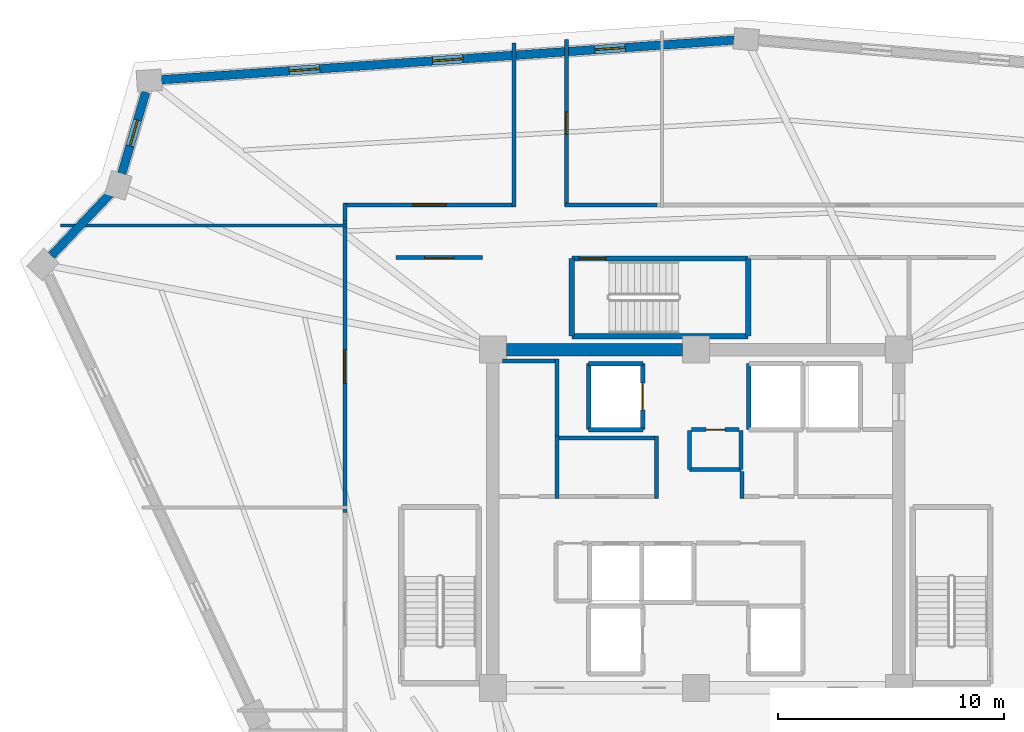
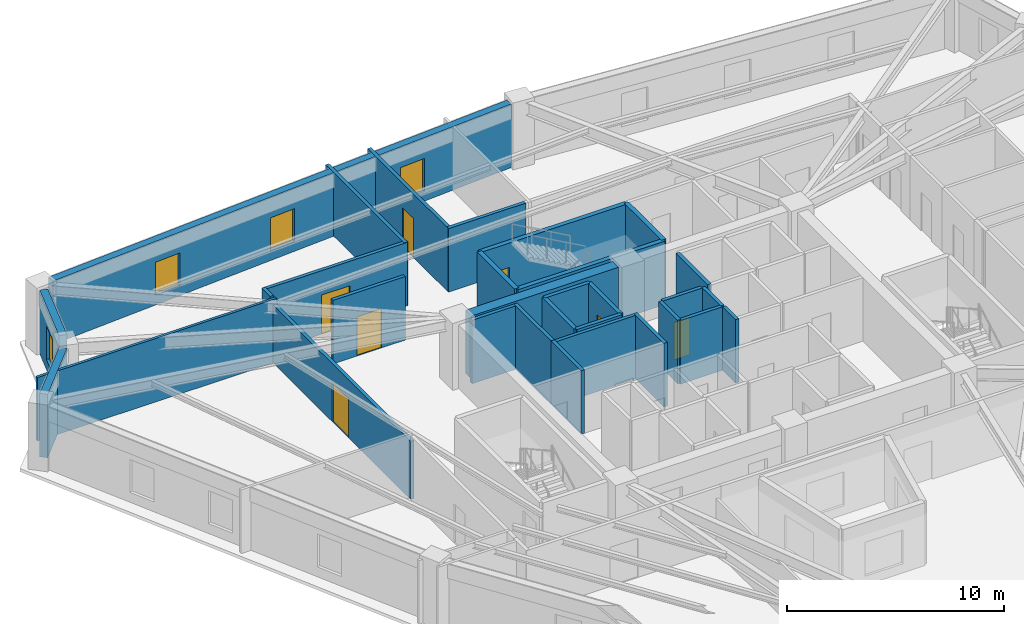
# One storey, part 5 of 10: 31 walls, 7 doors, 4 windows, 11 openings.
"""IFC4 building model written with IfcOpenShell, lengths in metres."""

from ifc_helpers import new_model, si_unit, direction, frame, frame_2d, origin, place, context, subcontext, project, spatial, rectangle, extrude, source, transform, mapped, material, layer, layer_set, type_object, element, fill, save


model = new_model("IFC4")

# Units and contexts
model_context = context("Model", 3, precision=1e-05, world=origin(), true_north=direction((0.0, 1.0)))
body_context = subcontext(model_context, "Body", "Model", "MODEL_VIEW")
ifc_project = project(units=[si_unit("LENGTHUNIT", "METRE"), si_unit("AREAUNIT", "SQUARE_METRE"), si_unit("VOLUMEUNIT", "CUBIC_METRE"), si_unit("PLANEANGLEUNIT", "RADIAN"), si_unit("MASSUNIT", "GRAM", prefix="KILO")], contexts=[model_context])

# Site, building, storey
site_placement = place(None, origin())
site = spatial("IfcSite", under=ifc_project, at=site_placement, CompositionType="ELEMENT")
building_placement = place(site_placement, origin())
building = spatial("IfcBuilding", under=site, at=building_placement, Name="Liaohun Quay Tower", CompositionType="ELEMENT")
storey_placement = place(building_placement, frame((0.0, 0.0, 339.75)))
storey = spatial("IfcBuildingStorey", under=building, at=storey_placement, Name="L88", CompositionType="ELEMENT", Elevation=339.75)

# Wall
ifc_material_1 = material(Name="Concrete C50", Category="concrete")
ifc_layer_1 = layer(ifc_material_1, 0.550048828125, Name="Concrete C50", Category="concrete")
ifc_layer_set_1 = layer_set([ifc_layer_1], Name="Concrete C50")
wall_type_1 = type_object("IfcWallType", Name="WAL-COR-Z4", PredefinedType="SHEAR", material=ifc_layer_set_1)
wall_1_placement = place(storey_placement, frame((51.60009765625, 61.5, 0.0), z_axis=(0.0, 0.0, 1.0), x_axis=(1.0, 0.0, 0.0)))
element("IfcWall", 1, at=wall_1_placement, inside=storey, type_object=wall_type_1, Name="L88 Central Core Shear Wall N-W", PredefinedType="SHEAR", context=body_context, shape_type="SweptSolid", body=[
    extrude(rectangle(XDim=7.7998046875, YDim=0.550048828125, at=frame_2d((3.89990234375, 0.0))), origin(), (0.0, 0.0, 1.0), 3.570068359375),
])

# Wall, openings, windows
ifc_material_2 = material(Name="Precast concrete C50 insulated sandwich", Category="concrete")
ifc_layer_2 = layer(ifc_material_2, 0.3798828125, Name="Precast concrete C50 insulated sandwich", Category="concrete")
ifc_layer_set_2 = layer_set([ifc_layer_2], Name="Precast concrete C50 insulated sandwich")
wall_type_2 = type_object("IfcWallType", Name="WAL-EXT-Z34", PredefinedType="SOLIDWALL", material=ifc_layer_set_2)
wall_2_placement = place(storey_placement, frame((61.695068359375, 75.22607421875, 0.0), z_axis=(0.0, 0.0, 1.0), x_axis=(-0.997609466084, -0.06910393027, 0.0)))
wall_2 = element("IfcWall", 2, at=wall_2_placement, inside=storey, type_object=wall_type_2, Name="L88 Brutalist Precast Pier Wall 07", PredefinedType="SOLIDWALL", context=body_context, shape_type="SweptSolid", body=[
    extrude(rectangle(XDim=25.454833984375, YDim=0.3798828125, at=frame_2d((12.7275390625, 0.0))), origin(), (0.0, 0.0, 1.0), 3.570068359375),
])
shared_shape_1 = source(origin(), body_context, "Body", "SweptSolid", [
    extrude(rectangle(XDim=1.35009765625, YDim=1.85009765625, at=frame_2d((0.675048828125, 0.925048828125))), frame((0.0, 0.199951171875, 0.0), z_axis=(0.0, -1.0, 0.0), x_axis=(1.0, 0.0, 0.0)), (0.0, 0.0, 1.0), 0.39990234375),
])
opening_1_placement = place(wall_2_placement, frame((4.839111328125, 0.0, 0.550048828125)))
opening_1 = element("IfcOpeningElement", 3, at=opening_1_placement, cuts=wall_2, Name="Opening W04", PredefinedType="OPENING", context=body_context, shape_type="MappedRepresentation", body=[
    mapped(shared_shape_1, transform((0.0, 0.0, 0.0), x_axis=(1.0, 0.0, 0.0), y_axis=(0.0, 1.0, 0.0), z_axis=(0.0, 0.0, 1.0), scale=1.0)),
])
opening_2_placement = place(wall_2_placement, frame((12.052001953125, 0.0, 0.550048828125)))
opening_2 = element("IfcOpeningElement", 4, at=opening_2_placement, cuts=wall_2, Name="Opening W04", PredefinedType="OPENING", context=body_context, shape_type="MappedRepresentation", body=[
    mapped(shared_shape_1, transform((0.0, 0.0, 0.0), x_axis=(1.0, 0.0, 0.0), y_axis=(0.0, 1.0, 0.0), z_axis=(0.0, 0.0, 1.0), scale=1.0)),
])
opening_3_placement = place(wall_2_placement, frame((18.416015625, 0.0, 0.550048828125)))
opening_3 = element("IfcOpeningElement", 5, at=opening_3_placement, cuts=wall_2, Name="Opening W04", PredefinedType="OPENING", context=body_context, shape_type="MappedRepresentation", body=[
    mapped(shared_shape_1, transform((0.0, 0.0, 0.0), x_axis=(1.0, 0.0, 0.0), y_axis=(0.0, 1.0, 0.0), z_axis=(0.0, 0.0, 1.0), scale=1.0)),
])
ifc_material_3 = material(Name="Triple Low-E argon glazing in thermally broken aluminium", Category="aluminium")
window_type_1 = type_object("IfcWindowType", Name="WIN-PUN-Z4", PartitioningType="SINGLE_PANEL", PredefinedType="WINDOW", material=ifc_material_3)
shared_shape_2 = source(origin(), body_context, "Body", "SweptSolid", [
    extrude(rectangle(XDim=1.35009765625, YDim=1.85009765625, at=frame_2d((0.675048828125, 0.925048828125))), frame((0.0, 0.030029296875, 0.0), z_axis=(0.0, -1.0, 0.0), x_axis=(1.0, 0.0, 0.0)), (0.0, 0.0, 1.0), 0.06005859375),
])
window_1_placement = place(opening_1_placement, origin())
window_1 = element("IfcWindow", 6, at=window_1_placement, inside=storey, type_object=window_type_1, Name="L88 Recessed Cold-Climate Punched Window 07-1", OverallHeight=1.85009765625, OverallWidth=1.35009765625, PartitioningType="SINGLE_PANEL", PredefinedType="WINDOW", context=body_context, shape_type="MappedRepresentation", body=[
    mapped(shared_shape_2, transform((0.0, 0.0, 0.0), x_axis=(1.0, 0.0, 0.0), y_axis=(0.0, 1.0, 0.0), z_axis=(0.0, 0.0, 1.0), scale=1.0)),
])
fill(opening_1, window_1)
window_2_placement = place(opening_2_placement, origin())
window_2 = element("IfcWindow", 7, at=window_2_placement, inside=storey, type_object=window_type_1, Name="L88 Recessed Cold-Climate Punched Window 07-2", OverallHeight=1.85009765625, OverallWidth=1.35009765625, PartitioningType="SINGLE_PANEL", PredefinedType="WINDOW", context=body_context, shape_type="MappedRepresentation", body=[
    mapped(shared_shape_2, transform((0.0, 0.0, 0.0), x_axis=(1.0, 0.0, 0.0), y_axis=(0.0, 1.0, 0.0), z_axis=(0.0, 0.0, 1.0), scale=1.0)),
])
fill(opening_2, window_2)
window_3_placement = place(opening_3_placement, origin())
window_3 = element("IfcWindow", 8, at=window_3_placement, inside=storey, type_object=window_type_1, Name="L88 Recessed Cold-Climate Punched Window 07-3", OverallHeight=1.85009765625, OverallWidth=1.35009765625, PartitioningType="SINGLE_PANEL", PredefinedType="WINDOW", context=body_context, shape_type="MappedRepresentation", body=[
    mapped(shared_shape_2, transform((0.0, 0.0, 0.0), x_axis=(1.0, 0.0, 0.0), y_axis=(0.0, 1.0, 0.0), z_axis=(0.0, 0.0, 1.0), scale=1.0)),
])
fill(opening_3, window_3)

# Wall, opening, window
wall_3_placement = place(storey_placement, frame((35.60888671875, 72.912109375, 0.0), z_axis=(0.0, 0.0, 1.0), x_axis=(-0.282457827071, -0.959279717249, 0.0)))
wall_3 = element("IfcWall", 9, at=wall_3_placement, inside=storey, type_object=wall_type_2, Name="L88 Brutalist Precast Pier Wall 08", PredefinedType="SOLIDWALL", context=body_context, shape_type="SweptSolid", body=[
    extrude(rectangle(XDim=3.763427734375, YDim=0.3798828125, at=frame_2d((1.8818359375, 0.0))), origin(), (0.0, 0.0, 1.0), 3.570068359375),
])
shared_shape_3 = source(origin(), body_context, "Body", "SweptSolid", [
    extrude(rectangle(XDim=1.199951171875, YDim=1.89990234375, at=frame_2d((0.60009765625, 0.949951171875))), frame((0.0, 0.199951171875, 0.0), z_axis=(0.0, -1.0, 0.0), x_axis=(1.0, 0.0, 0.0)), (0.0, 0.0, 1.0), 0.39990234375),
])
opening_4_placement = place(wall_3_placement, frame((1.281982421875, 0.0, 0.550048828125)))
opening_4 = element("IfcOpeningElement", 10, at=opening_4_placement, cuts=wall_3, Name="Opening W05", PredefinedType="OPENING", context=body_context, shape_type="MappedRepresentation", body=[
    mapped(shared_shape_3, transform((0.0, 0.0, 0.0), x_axis=(1.0, 0.0, 0.0), y_axis=(0.0, 1.0, 0.0), z_axis=(0.0, 0.0, 1.0), scale=1.0)),
])
ifc_material_4 = material(Name="Triple Low-E corner notch glazing", Category="glass")
window_type_2 = type_object("IfcWindowType", Name="WIN-NOTCH", PartitioningType="SINGLE_PANEL", PredefinedType="WINDOW", material=ifc_material_4)
shared_shape_4 = source(origin(), body_context, "Body", "SweptSolid", [
    extrude(rectangle(XDim=1.199951171875, YDim=1.89990234375, at=frame_2d((0.60009765625, 0.949951171875))), frame((0.0, 0.030029296875, 0.0), z_axis=(0.0, -1.0, 0.0), x_axis=(1.0, 0.0, 0.0)), (0.0, 0.0, 1.0), 0.06005859375),
])
window_4_placement = place(opening_4_placement, origin())
window_4 = element("IfcWindow", 11, at=window_4_placement, inside=storey, type_object=window_type_2, Name="L88 Corner Notch Window W05-08", OverallHeight=1.89990234375, OverallWidth=1.199951171875, PartitioningType="SINGLE_PANEL", PredefinedType="WINDOW", context=body_context, shape_type="MappedRepresentation", body=[
    mapped(shared_shape_4, transform((0.0, 0.0, 0.0), x_axis=(1.0, 0.0, 0.0), y_axis=(0.0, 1.0, 0.0), z_axis=(0.0, 0.0, 1.0), scale=1.0)),
])
fill(opening_4, window_4)

# Wall
wall_4_placement = place(storey_placement, frame((34.02099609375, 68.39306640625, 0.0), z_axis=(0.0, 0.0, 1.0), x_axis=(-0.689516179324, -0.724270279972, 0.0)))
element("IfcWall", 12, at=wall_4_placement, inside=storey, type_object=wall_type_2, Name="L88 Brutalist Precast Pier Wall 09", PredefinedType="SOLIDWALL", context=body_context, shape_type="SweptSolid", body=[
    extrude(rectangle(XDim=3.772216796875, YDim=0.3798828125, at=frame_2d((1.88623046875, 0.0))), origin(), (0.0, 0.0, 1.0), 3.570068359375),
])

# Wall, opening, door
ifc_material_5 = material(Name="Autoclaved aerated concrete blockwork", Category="masonry")
ifc_layer_3 = layer(ifc_material_5, 0.179931640625, Name="Autoclaved aerated concrete blockwork", Category="masonry")
ifc_layer_set_3 = layer_set([ifc_layer_3], Name="Autoclaved aerated concrete blockwork")
wall_type_3 = type_object("IfcWallType", Name="WAL-PRT-COR", PredefinedType="PARTITIONING", material=ifc_layer_set_3)
wall_5_placement = place(storey_placement, frame((59.81005859375, 57.949951171875, 0.0), z_axis=(0.0, 0.0, 1.0), x_axis=(1.0, 0.0, 0.0)))
wall_5 = element("IfcWall", 13, at=wall_5_placement, inside=storey, type_object=wall_type_3, Name="L88 Interior Partition Wall 006", PredefinedType="PARTITIONING", context=body_context, shape_type="SweptSolid", body=[
    extrude(rectangle(XDim=2.10986328125, YDim=0.179931640625, at=frame_2d((1.054931640625, 0.0))), origin(), (0.0, 0.0, 1.0), 3.570068359375),
])
shared_shape_5 = source(origin(), body_context, "Body", "SweptSolid", [
    extrude(rectangle(XDim=0.85009765625, YDim=2.10009765625, at=frame_2d((0.425048828125, 1.050048828125))), frame((0.0, 0.099853515625, 0.0), z_axis=(0.0, -1.0, 0.0), x_axis=(1.0, 0.0, 0.0)), (0.0, 0.0, 1.0), 0.199951171875),
])
opening_5_placement = place(wall_5_placement, frame((0.635009765625, 0.0, 0.0)))
opening_5 = element("IfcOpeningElement", 14, at=opening_5_placement, cuts=wall_5, Name="Opening AD1", PredefinedType="OPENING", context=body_context, shape_type="MappedRepresentation", body=[
    mapped(shared_shape_5, transform((0.0, 0.0, 0.0), x_axis=(1.0, 0.0, 0.0), y_axis=(0.0, 1.0, 0.0), z_axis=(0.0, 0.0, 1.0), scale=1.0)),
])
ifc_material_6 = material(Name="Steel riser inspection fire door", Category="steel")
door_type_1 = type_object("IfcDoorType", Name="DOR-SHF-850", OperationType="NOTDEFINED", PredefinedType="DOOR", material=ifc_material_6)
shared_shape_6 = source(origin(), body_context, "Body", "SweptSolid", [
    extrude(rectangle(XDim=0.85009765625, YDim=2.10009765625, at=frame_2d((0.425048828125, 1.050048828125))), frame((0.0, 0.02490234375, 0.0), z_axis=(0.0, -1.0, 0.0), x_axis=(1.0, 0.0, 0.0)), (0.0, 0.0, 1.0), 0.050048828125),
])
door_1_placement = place(opening_5_placement, origin())
door_1 = element("IfcDoor", 15, at=door_1_placement, inside=storey, type_object=door_type_1, Name="L88 Core Janitor and Cleaner Store Door", OperationType="SINGLE_SWING_LEFT", OverallHeight=2.10009765625, OverallWidth=0.85009765625, PredefinedType="DOOR", context=body_context, shape_type="MappedRepresentation", body=[
    mapped(shared_shape_6, transform((0.0, 0.0, 0.0), x_axis=(1.0, 0.0, 0.0), y_axis=(0.0, 1.0, 0.0), z_axis=(0.0, 0.0, 1.0), scale=1.0)),
])
fill(opening_5, door_1)

wall_6_placement = place(storey_placement, frame((46.699951171875, 65.580078125, 0.0), z_axis=(0.0, 0.0, 1.0), x_axis=(1.0, 0.0, 0.0)))
wall_6 = element("IfcWall", 16, at=wall_6_placement, inside=storey, type_object=wall_type_3, Name="L88 Interior Partition Wall 013", PredefinedType="PARTITIONING", context=body_context, shape_type="SweptSolid", body=[
    extrude(rectangle(XDim=3.840087890625, YDim=0.179931640625, at=frame_2d((1.919921875, 0.0))), origin(), (0.0, 0.0, 1.0), 3.570068359375),
])
shared_shape_7 = source(origin(), body_context, "Body", "SweptSolid", [
    extrude(rectangle(XDim=1.300048828125, YDim=2.199951171875, at=frame_2d((0.64990234375, 1.10009765625))), frame((0.0, 0.099853515625, 0.0), z_axis=(0.0, -1.0, 0.0), x_axis=(1.0, 0.0, 0.0)), (0.0, 0.0, 1.0), 0.199951171875),
])
opening_6_placement = place(wall_6_placement, frame((1.27001953125, 0.0, 0.0)))
opening_6 = element("IfcOpeningElement", 17, at=opening_6_placement, cuts=wall_6, Name="Opening FD1", PredefinedType="OPENING", context=body_context, shape_type="MappedRepresentation", body=[
    mapped(shared_shape_7, transform((0.0, 0.0, 0.0), x_axis=(1.0, 0.0, 0.0), y_axis=(0.0, 1.0, 0.0), z_axis=(0.0, 0.0, 1.0), scale=1.0)),
])
ifc_material_7 = material(Name="Galvanised steel smokeproof fire door", Category="steel")
door_type_2 = type_object("IfcDoorType", Name="DOR-FFL-1300", OperationType="NOTDEFINED", PredefinedType="DOOR", material=ifc_material_7)
shared_shape_8 = source(origin(), body_context, "Body", "SweptSolid", [
    extrude(rectangle(XDim=1.300048828125, YDim=2.199951171875, at=frame_2d((0.64990234375, 1.10009765625))), frame((0.0, 0.02490234375, 0.0), z_axis=(0.0, -1.0, 0.0), x_axis=(1.0, 0.0, 0.0)), (0.0, 0.0, 1.0), 0.050048828125),
])
door_2_placement = place(opening_6_placement, origin())
door_2 = element("IfcDoor", 18, at=door_2_placement, inside=storey, type_object=door_type_2, Name="L88 West Core Vestibule Door", OperationType="SINGLE_SWING_RIGHT", OverallHeight=2.199951171875, OverallWidth=1.300048828125, PredefinedType="DOOR", context=body_context, shape_type="MappedRepresentation", body=[
    mapped(shared_shape_8, transform((0.0, 0.0, 0.0), x_axis=(1.0, 0.0, 0.0), y_axis=(0.0, 1.0, 0.0), z_axis=(0.0, 0.0, 1.0), scale=1.0)),
])
fill(opening_6, door_2)

wall_7_placement = place(storey_placement, frame((54.260009765625, 75.251953125, 0.0), z_axis=(0.0, 0.0, 1.0), x_axis=(0.0, -1.0, 0.0)))
wall_7 = element("IfcWall", 19, at=wall_7_placement, inside=storey, type_object=wall_type_3, Name="L88 Interior Partition Wall 017", PredefinedType="PARTITIONING", context=body_context, shape_type="SweptSolid", body=[
    extrude(rectangle(XDim=7.411865234375, YDim=0.179931640625, at=frame_2d((3.7060546875, 0.0))), origin(), (0.0, 0.0, 1.0), 3.570068359375),
])
shared_shape_9 = source(origin(), body_context, "Body", "SweptSolid", [
    extrude(rectangle(XDim=1.0, YDim=2.199951171875, at=frame_2d((0.5, 1.10009765625))), frame((0.0, 0.099853515625, 0.0), z_axis=(0.0, -1.0, 0.0), x_axis=(1.0, 0.0, 0.0)), (0.0, 0.0, 1.0), 0.199951171875),
])
opening_7_placement = place(wall_7_placement, frame((3.2060546875, 0.0, 0.0)))
opening_7 = element("IfcOpeningElement", 20, at=opening_7_placement, cuts=wall_7, Name="Opening OD1", PredefinedType="OPENING", context=body_context, shape_type="MappedRepresentation", body=[
    mapped(shared_shape_9, transform((0.0, 0.0, 0.0), x_axis=(1.0, 0.0, 0.0), y_axis=(0.0, 1.0, 0.0), z_axis=(0.0, 0.0, 1.0), scale=1.0)),
])
ifc_material_8 = material(Name="Solid-core oak veneer timber leaf in steel frame", Category="steel")
door_type_3 = type_object("IfcDoorType", Name="DOR-OFF-1000", OperationType="NOTDEFINED", PredefinedType="DOOR", material=ifc_material_8)
shared_shape_10 = source(origin(), body_context, "Body", "SweptSolid", [
    extrude(rectangle(XDim=1.0, YDim=2.199951171875, at=frame_2d((0.5, 1.10009765625))), frame((0.0, 0.02490234375, 0.0), z_axis=(0.0, -1.0, 0.0), x_axis=(1.0, 0.0, 0.0)), (0.0, 0.0, 1.0), 0.050048828125),
])
door_3_placement = place(opening_7_placement, origin())
door_3 = element("IfcDoor", 21, at=door_3_placement, inside=storey, type_object=door_type_3, Name="L88 Client Collaboration Lounge 03 Door", OperationType="SINGLE_SWING_RIGHT", OverallHeight=2.199951171875, OverallWidth=1.0, PredefinedType="DOOR", context=body_context, shape_type="MappedRepresentation", body=[
    mapped(shared_shape_10, transform((0.0, 0.0, 0.0), x_axis=(1.0, 0.0, 0.0), y_axis=(0.0, 1.0, 0.0), z_axis=(0.0, 0.0, 1.0), scale=1.0)),
])
fill(opening_7, door_3)

wall_8_placement = place(storey_placement, frame((44.3701171875, 67.909912109375, 0.0), z_axis=(0.0, 0.0, 1.0), x_axis=(1.0, 0.0, 0.0)))
wall_8 = element("IfcWall", 22, at=wall_8_placement, inside=storey, type_object=wall_type_3, Name="L88 Interior Partition Wall 018", PredefinedType="PARTITIONING", context=body_context, shape_type="SweptSolid", body=[
    extrude(rectangle(XDim=7.639892578125, YDim=0.179931640625, at=frame_2d((3.81982421875, 0.0))), origin(), (0.0, 0.0, 1.0), 3.570068359375),
])
shared_shape_11 = source(origin(), body_context, "Body", "SweptSolid", [
    extrude(rectangle(XDim=1.5, YDim=2.199951171875, at=frame_2d((0.75, 1.10009765625))), frame((0.0, 0.099853515625, 0.0), z_axis=(0.0, -1.0, 0.0), x_axis=(1.0, 0.0, 0.0)), (0.0, 0.0, 1.0), 0.199951171875),
])
opening_8_placement = place(wall_8_placement, frame((3.070068359375, 0.0, 0.0)))
opening_8 = element("IfcOpeningElement", 23, at=opening_8_placement, cuts=wall_8, Name="Opening OD2", PredefinedType="OPENING", context=body_context, shape_type="MappedRepresentation", body=[
    mapped(shared_shape_11, transform((0.0, 0.0, 0.0), x_axis=(1.0, 0.0, 0.0), y_axis=(0.0, 1.0, 0.0), z_axis=(0.0, 0.0, 1.0), scale=1.0)),
])
ifc_material_9 = material(Name="Acoustic oak veneer double door")
door_type_4 = type_object("IfcDoorType", Name="DOR-OFF-1500", OperationType="DOUBLE_DOOR_SINGLE_SWING", PredefinedType="DOOR", material=ifc_material_9)
shared_shape_12 = source(origin(), body_context, "Body", "SweptSolid", [
    extrude(rectangle(XDim=1.5, YDim=2.199951171875, at=frame_2d((0.75, 1.10009765625))), frame((0.0, 0.02490234375, 0.0), z_axis=(0.0, -1.0, 0.0), x_axis=(1.0, 0.0, 0.0)), (0.0, 0.0, 1.0), 0.050048828125),
])
door_4_placement = place(opening_8_placement, origin())
door_4 = element("IfcDoor", 24, at=door_4_placement, inside=storey, type_object=door_type_4, Name="L88 Project Collaboration Studio 04 Door", OperationType="DOUBLE_DOOR_SINGLE_SWING", OverallHeight=2.199951171875, OverallWidth=1.5, PredefinedType="DOOR", context=body_context, shape_type="MappedRepresentation", body=[
    mapped(shared_shape_12, transform((0.0, 0.0, 0.0), x_axis=(1.0, 0.0, 0.0), y_axis=(0.0, 1.0, 0.0), z_axis=(0.0, 0.0, 1.0), scale=1.0)),
])
fill(opening_8, door_4)

wall_9_placement = place(storey_placement, frame((44.43994140625, 54.284912109375, 0.0), z_axis=(0.0, 0.0, 1.0), x_axis=(0.0, 1.0, 0.0)))
wall_9 = element("IfcWall", 25, at=wall_9_placement, inside=storey, type_object=wall_type_3, Name="L88 Interior Partition Wall 019", PredefinedType="PARTITIONING", context=body_context, shape_type="SweptSolid", body=[
    extrude(rectangle(XDim=12.93017578125, YDim=0.179931640625, at=frame_2d((6.465087890625, 0.0))), origin(), (0.0, 0.0, 1.0), 3.260986328125),
])
opening_9_placement = place(wall_9_placement, frame((5.715087890625, 0.0, 0.0)))
opening_9 = element("IfcOpeningElement", 26, at=opening_9_placement, cuts=wall_9, Name="Opening OD2", PredefinedType="OPENING", context=body_context, shape_type="MappedRepresentation", body=[
    mapped(shared_shape_11, transform((0.0, 0.0, 0.0), x_axis=(1.0, 0.0, 0.0), y_axis=(0.0, 1.0, 0.0), z_axis=(0.0, 0.0, 1.0), scale=1.0)),
])
door_5_placement = place(opening_9_placement, origin())
door_5 = element("IfcDoor", 27, at=door_5_placement, inside=storey, type_object=door_type_4, Name="L88 Corporate Exhibition Gallery 05 Door", OperationType="DOUBLE_DOOR_SINGLE_SWING", OverallHeight=2.199951171875, OverallWidth=1.5, PredefinedType="DOOR", context=body_context, shape_type="MappedRepresentation", body=[
    mapped(shared_shape_12, transform((0.0, 0.0, 0.0), x_axis=(1.0, 0.0, 0.0), y_axis=(0.0, 1.0, 0.0), z_axis=(0.0, 0.0, 1.0), scale=1.0)),
])
fill(opening_9, door_5)

# Walls
for number, where, z_axis, x_axis, name in (
    (28, (59.719970703125, 56.179931640625, 0.0), (0.0, 0.0, 1.0), (0.0, 1.0, 0.0), "L88 Interior Partition Wall 027"),
    (29, (62.010009765625, 56.179931640625, 0.0), (0.0, 0.0, 1.0), (0.0, 1.0, 0.0), "L88 Interior Partition Wall 028"),
):
    element("IfcWall", number, at=place(storey_placement, frame(where, z_axis=z_axis, x_axis=x_axis)), inside=storey, type_object=wall_type_3, Name=name, PredefinedType="PARTITIONING", context=body_context, shape_type="SweptSolid", body=[
        extrude(rectangle(XDim=1.739990234375, YDim=0.179931640625, at=frame_2d((0.8701171875, 0.0))), origin(), (0.0, 0.0, 1.0), 3.570068359375),
    ])
wall_10_placement = place(storey_placement, frame((59.719970703125, 56.179931640625, 0.0), z_axis=(0.0, 0.0, 1.0), x_axis=(1.0, 0.0, 0.0)))
element("IfcWall", 30, at=wall_10_placement, inside=storey, type_object=wall_type_3, Name="L88 Interior Partition Wall 029", PredefinedType="PARTITIONING", context=body_context, shape_type="SweptSolid", body=[
    extrude(rectangle(XDim=2.2900390625, YDim=0.179931640625, at=frame_2d((1.14501953125, 0.0))), origin(), (0.0, 0.0, 1.0), 3.570068359375),
])
wall_11_placement = place(storey_placement, frame((54.18994140625, 67.909912109375, 0.0), z_axis=(0.0, 0.0, 1.0), x_axis=(1.0, 0.0, 0.0)))
element("IfcWall", 31, at=wall_11_placement, inside=storey, type_object=wall_type_3, Name="L88 Interior Partition Wall 041", PredefinedType="PARTITIONING", context=body_context, shape_type="SweptSolid", body=[
    extrude(rectangle(XDim=4.094970703125, YDim=0.179931640625, at=frame_2d((2.04736328125, 0.0))), origin(), (0.0, 0.0, 1.0), 3.570068359375),
])
wall_12_placement = place(storey_placement, frame((51.93994140625, 67.840087890625, 0.0), z_axis=(0.0, 0.0, 1.0), x_axis=(0.0, 1.0, 0.0)))
element("IfcWall", 32, at=wall_12_placement, inside=storey, type_object=wall_type_3, Name="L88 Interior Partition Wall 042", PredefinedType="PARTITIONING", context=body_context, shape_type="SweptSolid", body=[
    extrude(rectangle(XDim=7.2509765625, YDim=0.179931640625, at=frame_2d((3.62548828125, 0.0))), origin(), (0.0, 0.0, 1.0), 3.570068359375),
])
wall_13_placement = place(storey_placement, frame((44.43994140625, 67.215087890625, 0.0), z_axis=(0.0, 0.0, 1.0), x_axis=(0.0, 1.0, 0.0)))
element("IfcWall", 33, at=wall_13_placement, inside=storey, type_object=wall_type_3, Name="L88 Interior Partition Wall 043", PredefinedType="PARTITIONING", context=body_context, shape_type="SweptSolid", body=[
    extrude(rectangle(XDim=0.764892578125, YDim=0.179931640625, at=frame_2d((0.38232421875, 0.0))), origin(), (0.0, 0.0, 1.0), 3.570068359375),
])
for number, where, z_axis, x_axis, name in (
    (34, (53.85009765625, 54.889892578125, 0.0), (0.0, 0.0, 1.0), (0.0, 1.0, 0.0), "L88 Interior Partition Wall 060"),
    (35, (58.25, 54.889892578125, 0.0), (0.0, 0.0, 1.0), (0.0, 1.0, 0.0), "L88 Interior Partition Wall 061"),
):
    element("IfcWall", number, at=place(storey_placement, frame(where, z_axis=z_axis, x_axis=x_axis)), inside=storey, type_object=wall_type_3, Name=name, PredefinedType="PARTITIONING", context=body_context, shape_type="SweptSolid", body=[
        extrude(rectangle(XDim=2.780029296875, YDim=0.179931640625, at=frame_2d((1.39013671875, 0.0))), origin(), (0.0, 0.0, 1.0), 3.570068359375),
    ])
wall_14_placement = place(storey_placement, frame((53.93994140625, 57.580078125, 0.0), z_axis=(0.0, 0.0, 1.0), x_axis=(1.0, 0.0, 0.0)))
element("IfcWall", 36, at=wall_14_placement, inside=storey, type_object=wall_type_3, Name="L88 Interior Partition Wall 062", PredefinedType="PARTITIONING", context=body_context, shape_type="SweptSolid", body=[
    extrude(rectangle(XDim=4.219970703125, YDim=0.179931640625, at=frame_2d((2.10986328125, 0.0))), origin(), (0.0, 0.0, 1.0), 3.570068359375),
])
wall_15_placement = place(storey_placement, frame((53.85009765625, 57.669921875, 0.0), z_axis=(0.0, 0.0, 1.0), x_axis=(0.0, 1.0, 0.0)))
element("IfcWall", 37, at=wall_15_placement, inside=storey, type_object=wall_type_3, Name="L88 Interior Partition Wall 063", PredefinedType="PARTITIONING", context=body_context, shape_type="SweptSolid", body=[
    extrude(rectangle(XDim=3.420166015625, YDim=0.179931640625, at=frame_2d((1.7099609375, 0.0))), origin(), (0.0, 0.0, 1.0), 3.570068359375),
])
wall_16_placement = place(storey_placement, frame((51.43701171875, 61.0, 0.0), z_axis=(0.0, 0.0, 1.0), x_axis=(1.0, 0.0, 0.0)))
element("IfcWall", 38, at=wall_16_placement, inside=storey, type_object=wall_type_3, Name="L88 Interior Partition Wall 064", PredefinedType="PARTITIONING", context=body_context, shape_type="SweptSolid", body=[
    extrude(rectangle(XDim=2.322998046875, YDim=0.179931640625, at=frame_2d((1.16162109375, 0.0))), origin(), (0.0, 0.0, 1.0), 3.570068359375),
])
wall_17_placement = place(storey_placement, frame((62.050048828125, 54.889892578125, 0.0), z_axis=(0.0, 0.0, 1.0), x_axis=(0.0, 1.0, 0.0)))
element("IfcWall", 39, at=wall_17_placement, inside=storey, type_object=wall_type_3, Name="L88 Interior Partition Wall 065", PredefinedType="PARTITIONING", context=body_context, shape_type="SweptSolid", body=[
    extrude(rectangle(XDim=1.2001953125, YDim=0.179931640625, at=frame_2d((0.60009765625, 0.0))), origin(), (0.0, 0.0, 1.0), 3.570068359375),
])
ifc_material_10 = material(Name="Gypsum board on twin steel studs", Category="steel")
ifc_layer_4 = layer(ifc_material_10, 0.139892578125, Name="Gypsum board on twin steel studs", Category="steel")
ifc_layer_set_4 = layer_set([ifc_layer_4], Name="Gypsum board on twin steel studs")
wall_type_4 = type_object("IfcWallType", Name="WAL-PRT-OFF", PredefinedType="PARTITIONING", material=ifc_layer_set_4)
wall_18_placement = place(storey_placement, frame((44.5400390625, 67.0, 0.0), z_axis=(0.0, 0.0, 1.0), x_axis=(-1.0, 0.0, 0.0)))
element("IfcWall", 40, at=wall_18_placement, inside=storey, type_object=wall_type_4, Name="L88 Interior Partition Wall 051", PredefinedType="PARTITIONING", context=body_context, shape_type="SweptSolid", body=[
    extrude(rectangle(XDim=12.715087890625, YDim=0.139892578125, at=frame_2d((6.357421875, 0.0))), origin(), (0.0, 0.0, 1.0), 3.570068359375),
])
ifc_layer_5 = layer(ifc_material_1, 0.239990234375, Name="Concrete C50", Category="concrete")
ifc_layer_set_5 = layer_set([ifc_layer_5], Name="Concrete C50")
wall_type_5 = type_object("IfcWallType", Name="WAL-SHF-200", PredefinedType="SOLIDWALL", material=ifc_layer_set_5)
wall_19_placement = place(storey_placement, frame((54.5, 62.10009765625, 0.0), z_axis=(0.0, 0.0, 1.0), x_axis=(1.0, 0.0, 0.0)))
element("IfcWall", 41, at=wall_19_placement, inside=storey, type_object=wall_type_5, Name="L88 Stairwell ST-3 Structural Core Wall S", PredefinedType="SOLIDWALL", context=body_context, shape_type="SweptSolid", body=[
    extrude(rectangle(XDim=7.820068359375, YDim=0.239990234375, at=frame_2d((3.91015625, 0.0))), origin(), (0.0, 0.0, 1.0), 3.570068359375),
])
wall_20_placement = place(storey_placement, frame((62.320068359375, 62.10009765625, 0.0), z_axis=(0.0, 0.0, 1.0), x_axis=(0.0, 1.0, 0.0)))
element("IfcWall", 42, at=wall_20_placement, inside=storey, type_object=wall_type_5, Name="L88 Stairwell ST-3 Structural Core Wall E", PredefinedType="SOLIDWALL", context=body_context, shape_type="SweptSolid", body=[
    extrude(rectangle(XDim=3.43994140625, YDim=0.239990234375, at=frame_2d((1.719970703125, 0.0))), origin(), (0.0, 0.0, 1.0), 3.570068359375),
])

# Wall, opening, door
wall_21_placement = place(storey_placement, frame((62.320068359375, 65.5400390625, 0.0), z_axis=(0.0, 0.0, 1.0), x_axis=(-1.0, 0.0, 0.0)))
wall_21 = element("IfcWall", 43, at=wall_21_placement, inside=storey, type_object=wall_type_5, Name="L88 Stairwell ST-3 Structural Core Wall N", PredefinedType="SOLIDWALL", context=body_context, shape_type="SweptSolid", body=[
    extrude(rectangle(XDim=7.820068359375, YDim=0.239990234375, at=frame_2d((3.91015625, 0.0))), origin(), (0.0, 0.0, 1.0), 3.570068359375),
])
shared_shape_13 = source(origin(), body_context, "Body", "SweptSolid", [
    extrude(rectangle(XDim=1.199951171875, YDim=2.199951171875, at=frame_2d((0.60009765625, 1.10009765625))), frame((0.0, 0.1298828125, 0.0), z_axis=(0.0, -1.0, 0.0), x_axis=(1.0, 0.0, 0.0)), (0.0, 0.0, 1.0), 0.260009765625),
])
opening_10_placement = place(wall_21_placement, frame((6.300048828125, 0.0, 0.0)))
opening_10 = element("IfcOpeningElement", 44, at=opening_10_placement, cuts=wall_21, Name="Opening SD1", PredefinedType="OPENING", context=body_context, shape_type="MappedRepresentation", body=[
    mapped(shared_shape_13, transform((0.0, 0.0, 0.0), x_axis=(1.0, 0.0, 0.0), y_axis=(0.0, 1.0, 0.0), z_axis=(0.0, 0.0, 1.0), scale=1.0)),
])
ifc_material_11 = material(Name="Galvanised steel fire door", Category="steel")
door_type_5 = type_object("IfcDoorType", Name="DOR-STR-1200", OperationType="NOTDEFINED", PredefinedType="DOOR", material=ifc_material_11)
shared_shape_14 = source(origin(), body_context, "Body", "SweptSolid", [
    extrude(rectangle(XDim=1.199951171875, YDim=2.199951171875, at=frame_2d((0.60009765625, 1.10009765625))), frame((0.0, 0.02490234375, 0.0), z_axis=(0.0, -1.0, 0.0), x_axis=(1.0, 0.0, 0.0)), (0.0, 0.0, 1.0), 0.050048828125),
])
door_6_placement = place(opening_10_placement, origin())
door_6 = element("IfcDoor", 45, at=door_6_placement, inside=storey, type_object=door_type_5, Name="L88 Protected Stair ST-3 Fire Door", OperationType="SINGLE_SWING_RIGHT", OverallHeight=2.199951171875, OverallWidth=1.199951171875, PredefinedType="DOOR", context=body_context, shape_type="MappedRepresentation", body=[
    mapped(shared_shape_14, transform((0.0, 0.0, 0.0), x_axis=(1.0, 0.0, 0.0), y_axis=(0.0, 1.0, 0.0), z_axis=(0.0, 0.0, 1.0), scale=1.0)),
])
fill(opening_10, door_6)

# Walls
wall_22_placement = place(storey_placement, frame((54.5, 65.5400390625, 0.0), z_axis=(0.0, 0.0, 1.0), x_axis=(0.0, -1.0, 0.0)))
element("IfcWall", 46, at=wall_22_placement, inside=storey, type_object=wall_type_5, Name="L88 Stairwell ST-3 Structural Core Wall W", PredefinedType="SOLIDWALL", context=body_context, shape_type="SweptSolid", body=[
    extrude(rectangle(XDim=3.43994140625, YDim=0.239990234375, at=frame_2d((1.719970703125, 0.0))), origin(), (0.0, 0.0, 1.0), 3.570068359375),
])
wall_23_placement = place(storey_placement, frame((55.25, 57.949951171875, 0.0), z_axis=(0.0, 0.0, 1.0), x_axis=(1.0, 0.0, 0.0)))
element("IfcWall", 47, at=wall_23_placement, inside=storey, type_object=wall_type_5, Name="L88 Lift FF-03 Hoistway Wall S", PredefinedType="SOLIDWALL", context=body_context, shape_type="SweptSolid", body=[
    extrude(rectangle(XDim=2.39990234375, YDim=0.199951171875, at=frame_2d((1.199951171875, 0.0))), origin(), (0.0, 0.0, 1.0), 3.570068359375),
])

# Wall, opening, door
wall_24_placement = place(storey_placement, frame((57.64990234375, 57.949951171875, 0.0), z_axis=(0.0, 0.0, 1.0), x_axis=(0.0, 1.0, 0.0)))
wall_24 = element("IfcWall", 48, at=wall_24_placement, inside=storey, type_object=wall_type_5, Name="L88 Lift FF-03 Hoistway Wall E", PredefinedType="SOLIDWALL", context=body_context, shape_type="SweptSolid", body=[
    extrude(rectangle(XDim=2.929931640625, YDim=0.199951171875, at=frame_2d((1.46484375, 0.0))), origin(), (0.0, 0.0, 1.0), 3.570068359375),
])
shared_shape_15 = source(origin(), body_context, "Body", "SweptSolid", [
    extrude(rectangle(XDim=1.199951171875, YDim=2.300048828125, at=frame_2d((0.60009765625, 1.14990234375))), frame((0.0, 0.10986328125, 0.0), z_axis=(0.0, -1.0, 0.0), x_axis=(1.0, 0.0, 0.0)), (0.0, 0.0, 1.0), 0.219970703125),
])
opening_11_placement = place(wall_24_placement, frame((0.864990234375, 0.0, 0.0)))
opening_11 = element("IfcOpeningElement", 49, at=opening_11_placement, cuts=wall_24, Name="Opening LD2", PredefinedType="OPENING", context=body_context, shape_type="MappedRepresentation", body=[
    mapped(shared_shape_15, transform((0.0, 0.0, 0.0), x_axis=(1.0, 0.0, 0.0), y_axis=(0.0, 1.0, 0.0), z_axis=(0.0, 0.0, 1.0), scale=1.0)),
])
ifc_material_12 = material(Name="Brushed stainless steel stretcher landing door", Category="steel")
door_type_6 = type_object("IfcDoorType", Name="DOR-LFT-1200", OperationType="SLIDING_TO_LEFT", PredefinedType="DOOR", material=ifc_material_12)
shared_shape_16 = source(origin(), body_context, "Body", "SweptSolid", [
    extrude(rectangle(XDim=1.199951171875, YDim=2.300048828125, at=frame_2d((0.60009765625, 1.14990234375))), frame((0.0, 0.02490234375, 0.0), z_axis=(0.0, -1.0, 0.0), x_axis=(1.0, 0.0, 0.0)), (0.0, 0.0, 1.0), 0.050048828125),
])
door_7_placement = place(opening_11_placement, origin())
door_7 = element("IfcDoor", 50, at=door_7_placement, inside=storey, type_object=door_type_6, Name="L88 Lift FF-03 Sliding Landing Door", OperationType="SLIDING_TO_LEFT", OverallHeight=2.300048828125, OverallWidth=1.199951171875, PredefinedType="DOOR", context=body_context, shape_type="MappedRepresentation", body=[
    mapped(shared_shape_16, transform((0.0, 0.0, 0.0), x_axis=(1.0, 0.0, 0.0), y_axis=(0.0, 1.0, 0.0), z_axis=(0.0, 0.0, 1.0), scale=1.0)),
])
fill(opening_11, door_7)

# Walls
wall_25_placement = place(storey_placement, frame((57.64990234375, 60.8798828125, 0.0), z_axis=(0.0, 0.0, 1.0), x_axis=(-1.0, 0.0, 0.0)))
element("IfcWall", 51, at=wall_25_placement, inside=storey, type_object=wall_type_5, Name="L88 Lift FF-03 Hoistway Wall N", PredefinedType="SOLIDWALL", context=body_context, shape_type="SweptSolid", body=[
    extrude(rectangle(XDim=2.39990234375, YDim=0.199951171875, at=frame_2d((1.199951171875, 0.0))), origin(), (0.0, 0.0, 1.0), 3.570068359375),
])
for number, where, z_axis, x_axis, name in (
    (52, (55.25, 60.8798828125, 0.0), (0.0, 0.0, 1.0), (0.0, -1.0, 0.0), "L88 Lift FF-03 Hoistway Wall W"),
    (53, (62.35009765625, 60.8798828125, 0.0), (0.0, 0.0, 1.0), (0.0, -1.0, 0.0), "L88 Lift OB-01 Hoistway Wall W"),
):
    element("IfcWall", number, at=place(storey_placement, frame(where, z_axis=z_axis, x_axis=x_axis)), inside=storey, type_object=wall_type_5, Name=name, PredefinedType="SOLIDWALL", context=body_context, shape_type="SweptSolid", body=[
        extrude(rectangle(XDim=2.929931640625, YDim=0.199951171875, at=frame_2d((1.46484375, 0.0))), origin(), (0.0, 0.0, 1.0), 3.570068359375),
    ])

save(model, "model.ifc")
